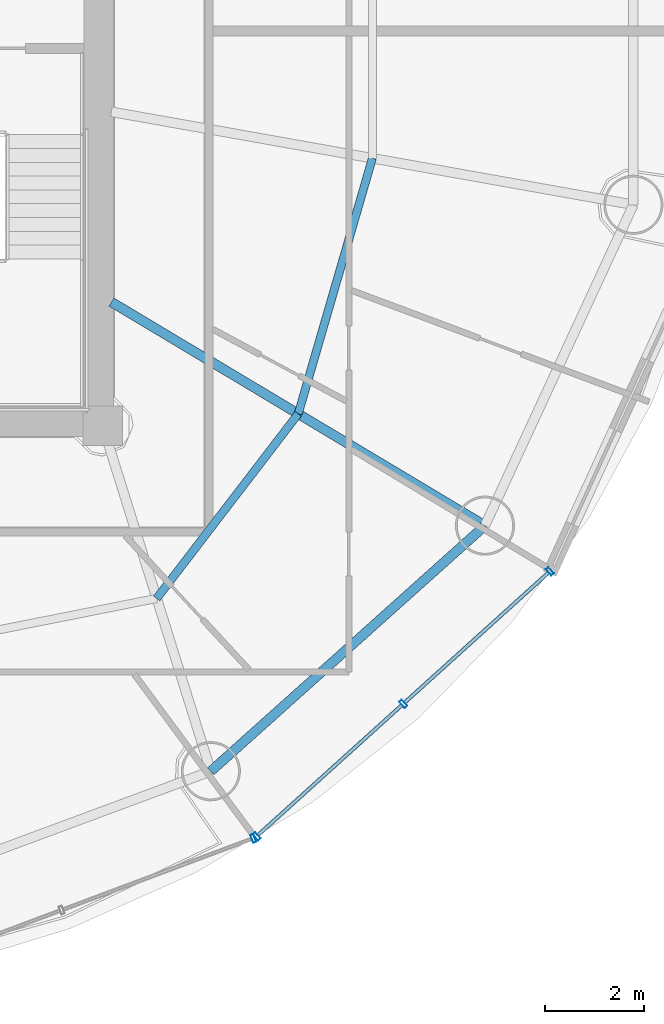
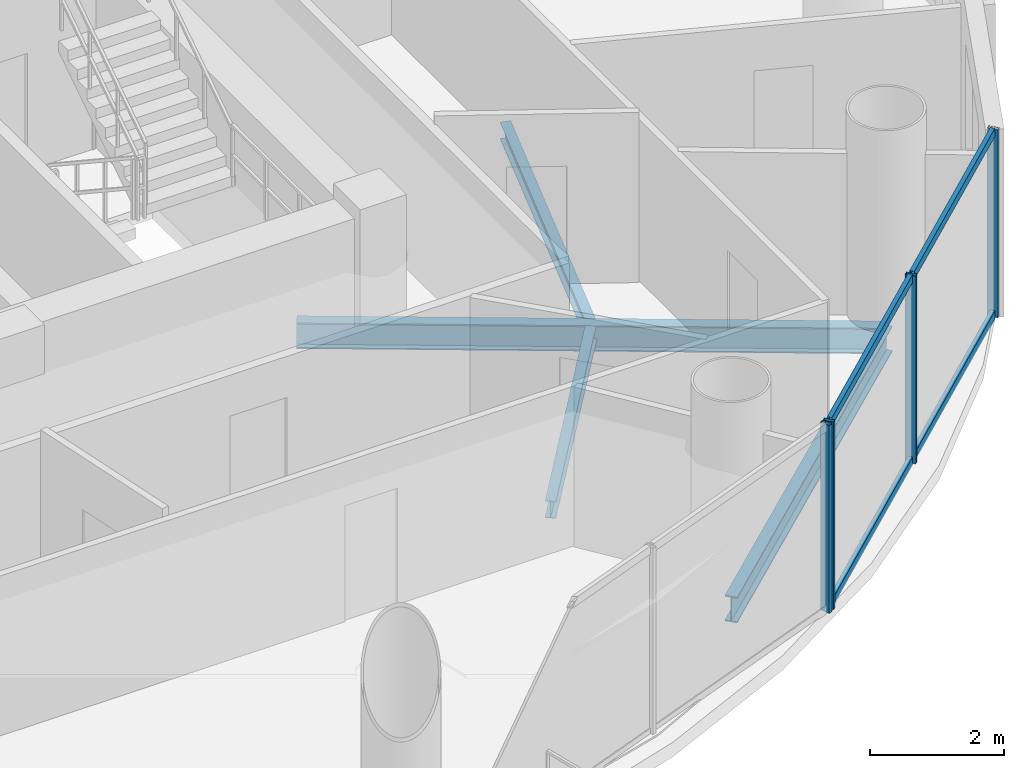
# One storey, part 10 of 26: 8 members, 4 beams, 2 elements without a shape of their own.
"""IFC4 building model written with IfcOpenShell, lengths in metres."""

from ifc_helpers import new_model, si_unit, direction, frame, origin, origin_2d, place, context, subcontext, project, spatial, hollow_rectangle, i_section, extrude, source, transform, mapped, material, material_profile, profile_set, type_object, element, aggregate, save


model = new_model("IFC4")

# Units and contexts
model_context = context("Model", 3, precision=1e-05, world=origin(), true_north=direction((-0.2419218956, 0.970295726276)))
body_context = subcontext(model_context, "Body", "Model", "MODEL_VIEW")
ifc_project = project(units=[si_unit("LENGTHUNIT", "METRE"), si_unit("AREAUNIT", "SQUARE_METRE"), si_unit("VOLUMEUNIT", "CUBIC_METRE"), si_unit("PLANEANGLEUNIT", "RADIAN"), si_unit("MASSUNIT", "GRAM", prefix="KILO")], contexts=[model_context])

# Site, building, storey
site_placement = place(None, origin())
site = spatial("IfcSite", under=ifc_project, at=site_placement, CompositionType="ELEMENT")
building_placement = place(site_placement, origin())
building = spatial("IfcBuilding", under=site, at=building_placement, Name="Cobrevalo Terracotta Tower", CompositionType="ELEMENT")
storey_placement = place(building_placement, frame((0.0, 0.0, 217.10009765625)))
storey = spatial("IfcBuildingStorey", under=building, at=storey_placement, Name="L57", CompositionType="ELEMENT", Elevation=217.10009765625)

# Beams
ifc_material_1 = material(Name="Steel S355", Category="steel")
ifc_material_profile_1 = material_profile(ifc_material_1, i_section(OverallWidth=0.194091796875, OverallDepth=0.468994140625, WebThickness=0.011474609375, FlangeThickness=0.0205078125, at=origin_2d()), Name="W 460x106")
ifc_profile_set_1 = profile_set([ifc_material_profile_1], Name="Steel S355")
beam_type_1 = type_object("IfcBeamType", Name="Structural Beam W 460x106 (Steel S355)", PredefinedType="BEAM", material=ifc_profile_set_1)
beam_1_placement = place(storey_placement, frame((54.754150390625, 16.77197265625, -0.49951171875), z_axis=(-0.858046392192, 0.513572184651, 0.0), x_axis=(-0.513572184651, -0.858046392192, 0.0)))
element("IfcBeam", 1, at=beam_1_placement, inside=storey, type_object=beam_type_1, Name="L57 radial floor girder 15", PredefinedType="BEAM", context=body_context, shape_type="SweptSolid", body=[
    extrude(i_section(OverallWidth=0.194091796875, OverallDepth=0.468994140625, WebThickness=0.011474609375, FlangeThickness=0.0205078125, at=origin_2d()), origin(), (0.0, 0.0, 1.0), 8.827392578125),
])
ifc_material_profile_2 = material_profile(ifc_material_1, i_section(OverallWidth=0.1650390625, OverallDepth=0.31005859375, WebThickness=0.005859375, FlangeThickness=0.009765625, at=origin_2d()), Name="W 310x38.7")
ifc_profile_set_2 = profile_set([ifc_material_profile_2], Name="Steel S355")
beam_type_2 = type_object("IfcBeamType", Name="Structural Joist W 310x38.7 (Steel S355)", PredefinedType="JOIST", material=ifc_profile_set_2)
beam_2_placement = place(storey_placement, frame((48.097412109375, 15.2958984375, -0.420166015625), z_axis=(0.608464146296, 0.793581364872, 0.0), x_axis=(-0.793581364872, 0.608464146296, 0.0)))
element("IfcBeam", 2, at=beam_2_placement, inside=storey, type_object=beam_type_2, Name="L57 circumferential secondary floor joist 14", PredefinedType="JOIST", context=body_context, shape_type="SweptSolid", body=[
    extrude(i_section(OverallWidth=0.1650390625, OverallDepth=0.31005859375, WebThickness=0.005859375, FlangeThickness=0.009765625, at=origin_2d()), origin(), (0.0, 0.0, 1.0), 4.716064453125),
])
beam_3_placement = place(storey_placement, frame((50.967041015625, 19.03857421875, -0.420166015625), z_axis=(0.278757705995, 0.960361463902, 0.0), x_axis=(-0.960361463902, 0.278757705995, 0.0)))
element("IfcBeam", 3, at=beam_3_placement, inside=storey, type_object=beam_type_2, Name="L57 circumferential secondary floor joist 15", PredefinedType="JOIST", context=body_context, shape_type="SweptSolid", body=[
    extrude(i_section(OverallWidth=0.1650390625, OverallDepth=0.31005859375, WebThickness=0.005859375, FlangeThickness=0.009765625, at=origin_2d()), origin(), (0.0, 0.0, 1.0), 5.396728515625),
])
ifc_material_profile_3 = material_profile(ifc_material_1, i_section(OverallWidth=0.194091796875, OverallDepth=0.468994140625, WebThickness=0.011474609375, FlangeThickness=0.0205078125, at=origin_2d()), Name="W 460x106")
ifc_profile_set_3 = profile_set([ifc_material_profile_3], Name="Steel S355")
beam_type_3 = type_object("IfcBeamType", Name="Structural Spandrel W 460x106 (Steel S355)", PredefinedType="SPANDREL", material=ifc_profile_set_3)
beam_4_placement = place(storey_placement, frame((49.19482421875, 11.7919921875, -0.49951171875), z_axis=(0.744851930997, 0.667229796165, 0.0), x_axis=(-0.667229796165, 0.744851930997, 0.0)))
element("IfcBeam", 4, at=beam_4_placement, inside=storey, type_object=beam_type_3, Name="L57 perimeter ring spandrel 14", PredefinedType="SPANDREL", context=body_context, shape_type="SweptSolid", body=[
    extrude(i_section(OverallWidth=0.194091796875, OverallDepth=0.468994140625, WebThickness=0.011474609375, FlangeThickness=0.0205078125, at=origin_2d()), origin(), (0.0, 0.0, 1.0), 7.463623046875),
])

# Curtain wall, members
ifc_material_2 = material(Name="Anodized aluminium", Category="aluminium")
curtain_wall_type = type_object("IfcCurtainWallType", Name="Mid-tower high-wind unitised curtain wall CW-U2", PredefinedType="NOTDEFINED", material=ifc_material_2)
curtain_wall_1_placement = place(storey_placement, origin())
curtain_wall_1 = element("IfcCurtainWall", 5, at=curtain_wall_1_placement, inside=storey, type_object=curtain_wall_type, Name="L57 curtain wall CW-L57-S14", PredefinedType="NOTDEFINED")
ifc_material_profile_4 = material_profile(ifc_material_2, hollow_rectangle(XDim=0.074951171875, YDim=0.14990234375, WallThickness=0.00439453125, at=origin_2d()), Name="CWT 75x150")
ifc_profile_set_4 = profile_set([ifc_material_profile_4], Name="Anodized aluminium")
member_type_1 = type_object("IfcMemberType", Name="Tower unitised aluminium transom 75x150", PredefinedType="USERDEFINED", material=ifc_profile_set_4)
shared_shape_1 = source(origin(), body_context, "Body", "SweptSolid", [
    extrude(hollow_rectangle(XDim=0.074951171875, YDim=0.14990234375, WallThickness=0.00439453125, at=origin_2d()), origin(), (0.0, 0.0, 1.0), 3.927490234375),
])
member_1_placement = place(storey_placement, frame((53.127685546875, 13.185302734375, 0.0498046875), z_axis=(0.741975952623, 0.670426495396, 0.0), x_axis=(-0.670426495396, 0.741975952623, 0.0)))
member_1 = element("IfcMember", 6, at=member_1_placement, type_object=member_type_1, Name="CW-L57-S14 transom B02-T1", ObjectType="TRANSOM", PredefinedType="USERDEFINED", context=body_context, shape_type="MappedRepresentation", body=[
    mapped(shared_shape_1, transform((0.0, 0.0, 0.0), scale=1.0)),
])
member_2_placement = place(storey_placement, frame((53.127685546875, 13.185302734375, 3.385009765625), z_axis=(0.741975952623, 0.670426495396, 0.0), x_axis=(-0.670426495396, 0.741975952623, 0.0)))
member_2 = element("IfcMember", 7, at=member_2_placement, type_object=member_type_1, Name="CW-L57-S14 transom B02-T2", ObjectType="TRANSOM", PredefinedType="USERDEFINED", context=body_context, shape_type="MappedRepresentation", body=[
    mapped(shared_shape_1, transform((0.0, 0.0, 0.0), scale=1.0)),
])
shared_shape_2 = source(origin(), body_context, "Body", "SweptSolid", [
    extrude(hollow_rectangle(XDim=0.074951171875, YDim=0.14990234375, WallThickness=0.00439453125, at=origin_2d()), origin(), (0.0, 0.0, 1.0), 3.927734375),
])
member_3_placement = place(storey_placement, frame((50.154052734375, 10.49853515625, 0.0498046875), z_axis=(0.742003891138, 0.670395573923, 0.0), x_axis=(-0.670395573923, 0.742003891138, 0.0)))
member_3 = element("IfcMember", 8, at=member_3_placement, type_object=member_type_1, Name="CW-L57-S14 transom B01-T1", ObjectType="TRANSOM", PredefinedType="USERDEFINED", context=body_context, shape_type="MappedRepresentation", body=[
    mapped(shared_shape_2, transform((0.0, 0.0, 0.0), scale=1.0)),
])
member_4_placement = place(storey_placement, frame((50.154052734375, 10.49853515625, 3.385009765625), z_axis=(0.742003891138, 0.670395573923, 0.0), x_axis=(-0.670395573923, 0.742003891138, 0.0)))
member_4 = element("IfcMember", 9, at=member_4_placement, type_object=member_type_1, Name="CW-L57-S14 transom B01-T2", ObjectType="TRANSOM", PredefinedType="USERDEFINED", context=body_context, shape_type="MappedRepresentation", body=[
    mapped(shared_shape_2, transform((0.0, 0.0, 0.0), scale=1.0)),
])

# Curtain wall, member
curtain_wall_2_placement = place(storey_placement, origin())
curtain_wall_2 = element("IfcCurtainWall", 10, at=curtain_wall_2_placement, inside=storey, type_object=curtain_wall_type, Name="L57 curtain wall CW-L57-S13", PredefinedType="NOTDEFINED")
ifc_material_profile_5 = material_profile(ifc_material_2, hollow_rectangle(XDim=0.070068359375, YDim=0.169921875, WallThickness=0.00439453125, at=origin_2d()), Name="CWM 70x170")
ifc_profile_set_5 = profile_set([ifc_material_profile_5], Name="Anodized aluminium")
member_type_2 = type_object("IfcMemberType", Name="Upper tower unitised mullion 70x170", PredefinedType="MULLION", material=ifc_profile_set_5)
shared_shape_3 = source(origin(), body_context, "Body", "SweptSolid", [
    extrude(hollow_rectangle(XDim=0.070068359375, YDim=0.169921875, WallThickness=0.00439453125, at=origin_2d()), origin(), (0.0, 0.0, 1.0), 3.434814453125),
])
member_5_placement = place(storey_placement, frame((50.057373046875, 10.430908203125, 0.0), z_axis=(0.0, 0.0, 1.0), x_axis=(0.936556004584, 0.350517974259, 0.0)))
member_5 = element("IfcMember", 11, at=member_5_placement, type_object=member_type_2, Name="CW-L57-S13 vertical mullion 03", PredefinedType="MULLION", context=body_context, shape_type="MappedRepresentation", body=[
    mapped(shared_shape_3, transform((0.0, 0.0, 0.0), scale=1.0)),
])
aggregate(curtain_wall_2, [member_5])

# Member
member_6_placement = place(storey_placement, frame((50.12451171875, 10.471923828125, 0.0), z_axis=(0.0, 0.0, 1.0), x_axis=(0.741987542015, 0.670413668935, 0.0)))
member_6 = element("IfcMember", 12, at=member_6_placement, type_object=member_type_2, Name="CW-L57-S14 vertical mullion 01", PredefinedType="MULLION", context=body_context, shape_type="MappedRepresentation", body=[
    mapped(shared_shape_3, transform((0.0, 0.0, 0.0), scale=1.0)),
])

member_7_placement = place(storey_placement, frame((53.097900390625, 13.158447265625, 0.0), z_axis=(0.0, 0.0, 1.0), x_axis=(0.741987542015, 0.670413668935, 0.0)))
member_7 = element("IfcMember", 13, at=member_7_placement, type_object=member_type_2, Name="CW-L57-S14 vertical mullion 02", PredefinedType="MULLION", context=body_context, shape_type="MappedRepresentation", body=[
    mapped(shared_shape_3, transform((0.0, 0.0, 0.0), scale=1.0)),
])

member_8_placement = place(storey_placement, frame((56.071533203125, 15.84521484375, 0.0), z_axis=(0.0, 0.0, 1.0), x_axis=(0.741987542015, 0.670413668935, 0.0)))
member_8 = element("IfcMember", 14, at=member_8_placement, type_object=member_type_2, Name="CW-L57-S14 vertical mullion 03", PredefinedType="MULLION", context=body_context, shape_type="MappedRepresentation", body=[
    mapped(shared_shape_3, transform((0.0, 0.0, 0.0), scale=1.0)),
])

aggregate(curtain_wall_1, [member_6, member_7, member_8, member_3, member_4, member_1, member_2])

save(model, "model.ifc")
